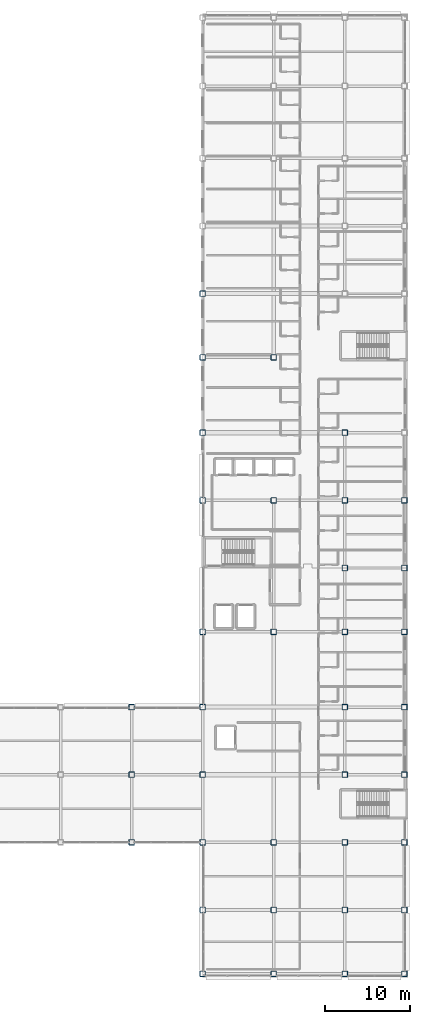
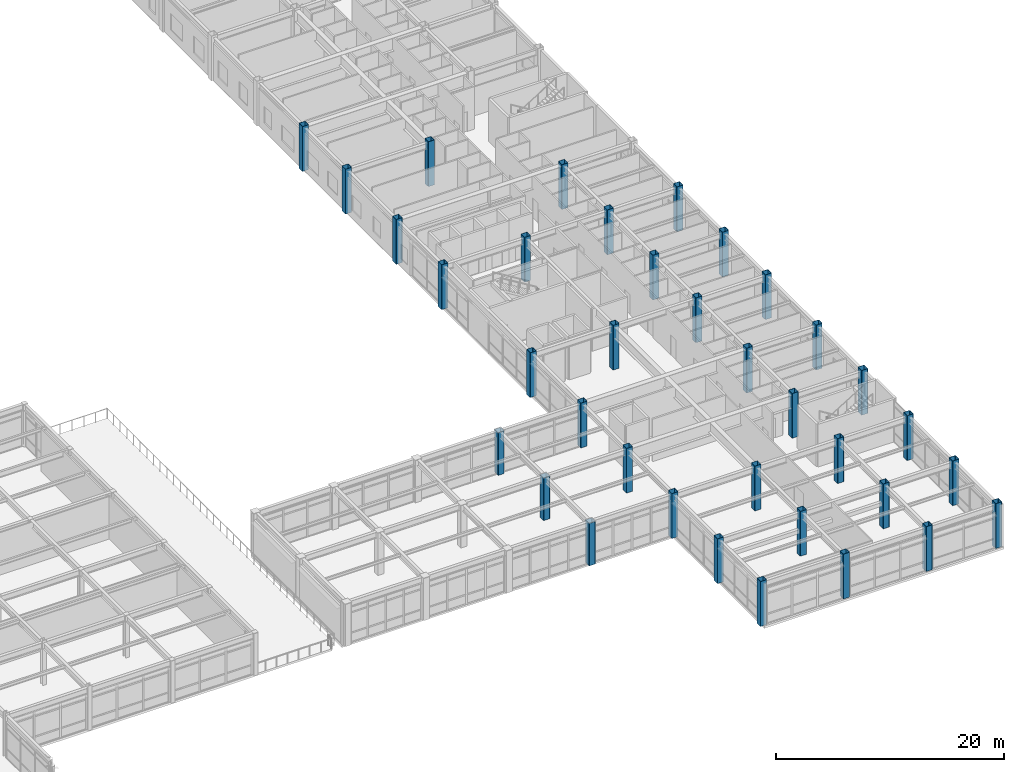
# One storey, part 13 of 93: 36 columns.
"""IFC4 building model written with IfcOpenShell, lengths in metres."""

from ifc_helpers import new_model, si_unit, direction, frame, origin, origin_2d, place, context, subcontext, project, spatial, hollow_rectangle, extrude, material, material_profile, profile_set, type_object, element, save


model = new_model("IFC4")

# Units and contexts
model_context = context("Model", 3, precision=1e-05, world=origin(), true_north=direction((0.0, 1.0)))
body_context = subcontext(model_context, "Body", "Model", "MODEL_VIEW")
ifc_project = project(units=[si_unit("LENGTHUNIT", "METRE"), si_unit("AREAUNIT", "SQUARE_METRE"), si_unit("VOLUMEUNIT", "CUBIC_METRE"), si_unit("PLANEANGLEUNIT", "RADIAN"), si_unit("MASSUNIT", "GRAM", prefix="KILO")], contexts=[model_context])

# Site, building, storey
site_placement = place(None, origin())
site = spatial("IfcSite", under=ifc_project, at=site_placement, CompositionType="ELEMENT")
building_placement = place(site_placement, origin())
building = spatial("IfcBuilding", under=site, at=building_placement, Name="Kazehara Bluff Congress Hotel", CompositionType="ELEMENT")
storey_placement = place(building_placement, frame((0.0, 0.0, 15.0)))
storey = spatial("IfcBuildingStorey", under=building, at=storey_placement, Name="L03", CompositionType="ELEMENT", Elevation=15.0)

# Columns
ifc_material = material(Name="Steel BCR295", Category="steel")
ifc_material_profile = material_profile(ifc_material, hollow_rectangle(XDim=0.64990234375, YDim=0.64990234375, WallThickness=0.02490234375, InnerFilletRadius=0.02490234375, OuterFilletRadius=0.050048828125, at=origin_2d()))
ifc_profile_set = profile_set([ifc_material_profile], Name="Steel BCR295")
column_type = type_object("IfcColumnType", Name="TP-C-04", PredefinedType="COLUMN", material=ifc_profile_set)
for number, where, z_axis, x_axis, name in (
    (1, (135.300048828125, 16.0, 0.0), (0.0, 0.0, 1.0), (1.0, 0.0, 0.0), "L03 column C-04 (135.30,16.00)"),
    (2, (135.300048828125, 24.0, 0.0), (0.0, 0.0, 1.0), (1.0, 0.0, 0.0), "L03 column C-04 (135.30,24.00)"),
    (3, (135.300048828125, 32.0, 0.0), (0.0, 0.0, 1.0), (1.0, 0.0, 0.0), "L03 column C-04 (135.30,32.00)"),
):
    element("IfcColumn", number, at=place(storey_placement, frame(where, z_axis=z_axis, x_axis=x_axis)), inside=storey, type_object=column_type, Name=name, PredefinedType="COLUMN", context=body_context, shape_type="SweptSolid", body=[
        extrude(hollow_rectangle(XDim=0.64990234375, YDim=0.64990234375, WallThickness=0.02490234375, InnerFilletRadius=0.02490234375, OuterFilletRadius=0.050048828125, at=origin_2d()), origin(), (0.0, 0.0, 1.0), 4.56005859375),
    ])
for number, where, z_axis, x_axis, name in (
    (4, (143.699951171875, 0.449951171875, 0.0), (0.0, 0.0, 1.0), (1.0, 0.0, 0.0), "L03 column C-04 (143.70,0.45)"),
    (5, (143.699951171875, 8.0, 0.0), (0.0, 0.0, 1.0), (1.0, 0.0, 0.0), "L03 column C-04 (143.70,8.00)"),
    (6, (143.699951171875, 16.0, 0.0), (0.0, 0.0, 1.0), (1.0, 0.0, 0.0), "L03 column C-04 (143.70,16.00)"),
    (7, (143.699951171875, 24.0, 0.0), (0.0, 0.0, 1.0), (1.0, 0.0, 0.0), "L03 column C-04 (143.70,24.00)"),
    (8, (143.699951171875, 32.0, 0.0), (0.0, 0.0, 1.0), (1.0, 0.0, 0.0), "L03 column C-04 (143.70,32.00)"),
    (9, (143.699951171875, 40.89990234375, 0.0), (0.0, 0.0, 1.0), (1.0, 0.0, 0.0), "L03 column C-04 (143.70,40.90)"),
    (10, (143.699951171875, 56.449951171875, 0.0), (0.0, 0.0, 1.0), (1.0, 0.0, 0.0), "L03 column C-04 (143.70,56.45)"),
    (11, (143.699951171875, 64.449951171875, 0.0), (0.0, 0.0, 1.0), (1.0, 0.0, 0.0), "L03 column C-04 (143.70,64.45)"),
    (12, (143.699951171875, 73.35009765625, 0.0), (0.0, 0.0, 1.0), (1.0, 0.0, 0.0), "L03 column C-04 (143.70,73.35)"),
    (13, (143.699951171875, 80.89990234375, 0.0), (0.0, 0.0, 1.0), (1.0, 0.0, 0.0), "L03 column C-04 (143.70,80.90)"),
    (14, (152.10009765625, 0.449951171875, 0.0), (0.0, 0.0, 1.0), (1.0, 0.0, 0.0), "L03 column C-04 (152.10,0.45)"),
    (15, (152.10009765625, 8.0, 0.0), (0.0, 0.0, 1.0), (1.0, 0.0, 0.0), "L03 column C-04 (152.10,8.00)"),
    (16, (152.10009765625, 16.0, 0.0), (0.0, 0.0, 1.0), (1.0, 0.0, 0.0), "L03 column C-04 (152.10,16.00)"),
    (17, (152.10009765625, 40.89990234375, 0.0), (0.0, 0.0, 1.0), (1.0, 0.0, 0.0), "L03 column C-04 (152.10,40.90)"),
    (18, (152.10009765625, 56.449951171875, 0.0), (0.0, 0.0, 1.0), (1.0, 0.0, 0.0), "L03 column C-04 (152.10,56.45)"),
    (19, (152.10009765625, 73.35009765625, 0.0), (0.0, 0.0, 1.0), (1.0, 0.0, 0.0), "L03 column C-04 (152.10,73.35)"),
    (20, (160.5, 0.449951171875, 0.0), (0.0, 0.0, 1.0), (1.0, 0.0, 0.0), "L03 column C-04 (160.50,0.45)"),
    (21, (160.5, 8.0, 0.0), (0.0, 0.0, 1.0), (1.0, 0.0, 0.0), "L03 column C-04 (160.50,8.00)"),
    (22, (160.5, 16.0, 0.0), (0.0, 0.0, 1.0), (1.0, 0.0, 0.0), "L03 column C-04 (160.50,16.00)"),
    (23, (160.5, 24.0, 0.0), (0.0, 0.0, 1.0), (1.0, 0.0, 0.0), "L03 column C-04 (160.50,24.00)"),
    (24, (160.5, 32.0, 0.0), (0.0, 0.0, 1.0), (1.0, 0.0, 0.0), "L03 column C-04 (160.50,32.00)"),
    (25, (160.5, 40.89990234375, 0.0), (0.0, 0.0, 1.0), (1.0, 0.0, 0.0), "L03 column C-04 (160.50,40.90)"),
    (26, (160.5, 48.449951171875, 0.0), (0.0, 0.0, 1.0), (1.0, 0.0, 0.0), "L03 column C-04 (160.50,48.45)"),
    (27, (160.5, 56.449951171875, 0.0), (0.0, 0.0, 1.0), (1.0, 0.0, 0.0), "L03 column C-04 (160.50,56.45)"),
    (28, (160.5, 64.449951171875, 0.0), (0.0, 0.0, 1.0), (1.0, 0.0, 0.0), "L03 column C-04 (160.50,64.45)"),
    (29, (167.550048828125, 0.449951171875, 0.0), (0.0, 0.0, 1.0), (1.0, 0.0, 0.0), "L03 column C-04 (167.55,0.45)"),
    (30, (167.550048828125, 8.0, 0.0), (0.0, 0.0, 1.0), (1.0, 0.0, 0.0), "L03 column C-04 (167.55,8.00)"),
    (31, (167.550048828125, 16.0, 0.0), (0.0, 0.0, 1.0), (1.0, 0.0, 0.0), "L03 column C-04 (167.55,16.00)"),
    (32, (167.550048828125, 24.0, 0.0), (0.0, 0.0, 1.0), (1.0, 0.0, 0.0), "L03 column C-04 (167.55,24.00)"),
    (33, (167.550048828125, 32.0, 0.0), (0.0, 0.0, 1.0), (1.0, 0.0, 0.0), "L03 column C-04 (167.55,32.00)"),
    (34, (167.550048828125, 40.89990234375, 0.0), (0.0, 0.0, 1.0), (1.0, 0.0, 0.0), "L03 column C-04 (167.55,40.90)"),
    (35, (167.550048828125, 48.449951171875, 0.0), (0.0, 0.0, 1.0), (1.0, 0.0, 0.0), "L03 column C-04 (167.55,48.45)"),
    (36, (167.550048828125, 56.449951171875, 0.0), (0.0, 0.0, 1.0), (1.0, 0.0, 0.0), "L03 column C-04 (167.55,56.45)"),
):
    element("IfcColumn", number, at=place(storey_placement, frame(where, z_axis=z_axis, x_axis=x_axis)), inside=storey, type_object=column_type, Name=name, PredefinedType="COLUMN", context=body_context, shape_type="SweptSolid", body=[
        extrude(hollow_rectangle(XDim=0.64990234375, YDim=0.64990234375, WallThickness=0.02490234375, InnerFilletRadius=0.02490234375, OuterFilletRadius=0.050048828125, at=origin_2d()), origin(), (0.0, 0.0, 1.0), 4.800048828125),
    ])

save(model, "model.ifc")
